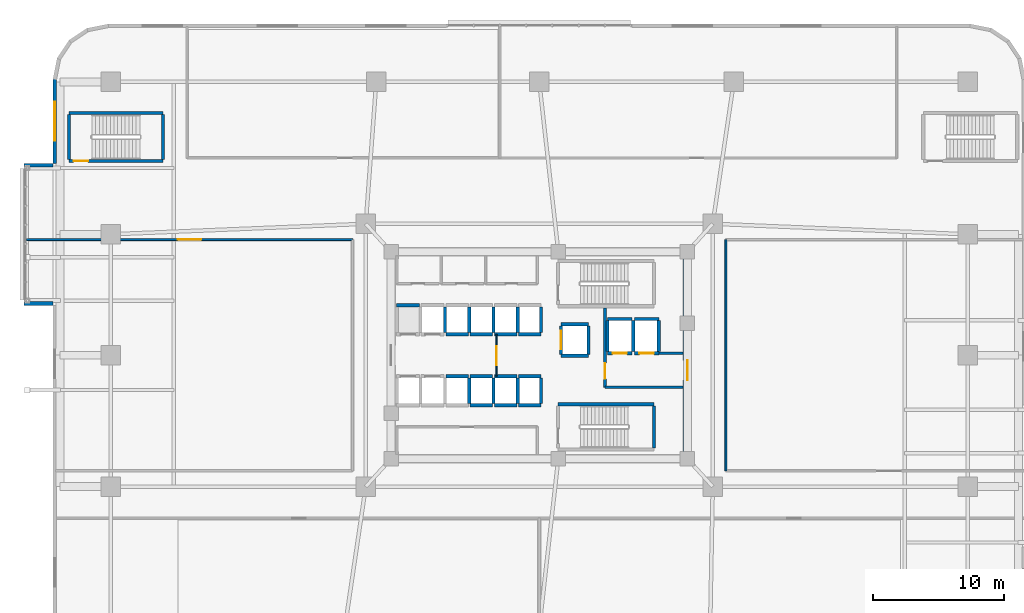
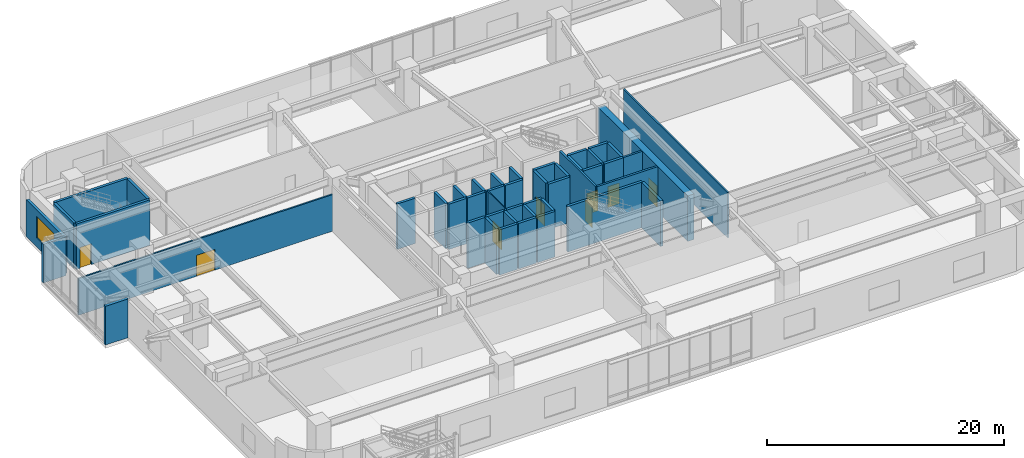
# One storey, part 16 of 23: 48 walls, 8 doors, 1 window, 9 openings.
"""IFC4 building model written with IfcOpenShell, lengths in metres."""

from ifc_helpers import new_model, si_unit, direction, frame, frame_2d, origin, place, context, subcontext, project, spatial, rectangle, extrude, material, layer, layer_set, type_object, element, fill, save


model = new_model("IFC4")

# Units and contexts
model_context = context("Model", 3, precision=1e-05, world=origin(), true_north=direction((0.0, 1.0)))
body_context = subcontext(model_context, "Body", "Model", "MODEL_VIEW")
ifc_project = project(units=[si_unit("LENGTHUNIT", "METRE"), si_unit("AREAUNIT", "SQUARE_METRE"), si_unit("VOLUMEUNIT", "CUBIC_METRE"), si_unit("PLANEANGLEUNIT", "RADIAN"), si_unit("MASSUNIT", "GRAM", prefix="KILO")], contexts=[model_context])

# Site, building, storey
site_placement = place(None, origin())
site = spatial("IfcSite", under=ifc_project, at=site_placement, CompositionType="ELEMENT")
building_placement = place(site_placement, origin())
building = spatial("IfcBuilding", under=site, at=building_placement, Name="Zulverin Broadcast Headquarters", CompositionType="ELEMENT")
storey_placement = place(building_placement, frame((0.0, 0.0, 10.0)))
storey = spatial("IfcBuildingStorey", under=building, at=storey_placement, Name="L02", CompositionType="ELEMENT", Elevation=10.0)

# Wall, opening, door
ifc_material_1 = material(Name="Concrete C60/75", Category="concrete")
ifc_layer_1 = layer(ifc_material_1, 0.64990234375, Name="Concrete C60/75", Category="concrete")
ifc_layer_set_1 = layer_set([ifc_layer_1], Name="Concrete C60/75")
wall_type_1 = type_object("IfcWallType", Name="WL-CORE-650", PredefinedType="SHEAR", material=ifc_layer_set_1)
wall_1_placement = place(storey_placement, frame((48.27490234375, 17.64990234375, 0.0), z_axis=(0.0, 0.0, 1.0), x_axis=(0.0, 1.0, 0.0)))
wall_1 = element("IfcWall", 1, at=wall_1_placement, inside=storey, type_object=wall_type_1, Name="L02 Core East Shear Wall", PredefinedType="SHEAR", context=body_context, shape_type="SweptSolid", body=[
    extrude(rectangle(XDim=15.10009765625, YDim=0.64990234375, at=frame_2d((7.550048828125, 0.0))), origin(), (0.0, 0.0, 1.0), 4.679931640625),
])
opening_1_placement = place(wall_1_placement, frame((5.64990234375, 0.0, 0.0)))
opening_1 = element("IfcOpeningElement", 2, at=opening_1_placement, cuts=wall_1, Name="Opening D-L02-CE1", PredefinedType="OPENING", context=body_context, shape_type="SweptSolid", body=[
    extrude(rectangle(XDim=1.5, YDim=2.14990234375, at=frame_2d((0.75, 1.074951171875))), frame((0.0, 0.3349609375, 0.0), z_axis=(0.0, -1.0, 0.0), x_axis=(1.0, 0.0, 0.0)), (0.0, 0.0, 1.0), 0.669921875),
])
ifc_material_2 = material(Name="Fire-rated glazed steel frame", Category="steel")
door_type_1 = type_object("IfcDoorType", Name="DR-COR-1500", OperationType="DOUBLE_DOOR_SINGLE_SWING", PredefinedType="DOOR", material=ifc_material_2)
door_1_placement = place(opening_1_placement, origin())
door_1 = element("IfcDoor", 3, at=door_1_placement, inside=storey, type_object=door_type_1, Name="L02 Firefighting Lobby East Corridor Door", OperationType="DOUBLE_DOOR_SINGLE_SWING", OverallHeight=2.14990234375, OverallWidth=1.5, PredefinedType="DOOR", context=body_context, shape_type="SweptSolid", body=[
    extrude(rectangle(XDim=1.5, YDim=2.14990234375, at=frame_2d((0.75, 1.074951171875))), frame((0.0, 0.02490234375, 0.0), z_axis=(0.0, -1.0, 0.0), x_axis=(1.0, 0.0, 0.0)), (0.0, 0.0, 1.0), 0.050048828125),
])
fill(opening_1, door_1)

# Wall, opening, window
ifc_material_3 = material(Name="Insulated pale-metal clad concrete spandrel C40/50", Category="concrete")
ifc_layer_2 = layer(ifc_material_3, 0.280029296875, Name="Insulated pale-metal clad concrete spandrel C40/50", Category="concrete")
ifc_layer_set_2 = layer_set([ifc_layer_2], Name="Insulated pale-metal clad concrete spandrel C40/50")
wall_type_2 = type_object("IfcWallType", Name="WL-EXT-280", PredefinedType="STANDARD", material=ifc_layer_set_2)
wall_2_placement = place(storey_placement, frame((0.139892578125, 46.199951171875, 0.0), z_axis=(0.0, 0.0, 1.0), x_axis=(0.0, -1.0, 0.0)))
wall_2 = element("IfcWall", 4, at=wall_2_placement, inside=storey, type_object=wall_type_2, Name="L02 Podium Spandrel Wall 3-1", PredefinedType="STANDARD", context=body_context, shape_type="SweptSolid", body=[
    extrude(rectangle(XDim=6.39990234375, YDim=0.280029296875, at=frame_2d((3.199951171875, 0.0))), origin(), (0.0, 0.0, 1.0), 3.780029296875),
])
opening_2_placement = place(wall_2_placement, frame((1.699951171875, 0.0, 0.89990234375)))
opening_2 = element("IfcOpeningElement", 5, at=opening_2_placement, cuts=wall_2, Name="Opening W-L02-E3S11", PredefinedType="OPENING", context=body_context, shape_type="SweptSolid", body=[
    extrude(rectangle(XDim=3.0, YDim=2.199951171875, at=frame_2d((1.5, 1.10009765625))), frame((0.0, 0.14990234375, 0.0), z_axis=(0.0, -1.0, 0.0), x_axis=(1.0, 0.0, 0.0)), (0.0, 0.0, 1.0), 0.300048828125),
])
ifc_material_4 = material(Name="Pale anodized aluminium frame with solar-control low-E double glazing", Category="aluminium")
window_type = type_object("IfcWindowType", Name="WIN-POD-3000", PartitioningType="SINGLE_PANEL", PredefinedType="WINDOW", material=ifc_material_4)
window_placement = place(opening_2_placement, origin())
window = element("IfcWindow", 6, at=window_placement, inside=storey, type_object=window_type, Name="L02 Podium Ribbon Window 3-1 1", OverallHeight=2.199951171875, OverallWidth=3.0, PartitioningType="SINGLE_PANEL", PredefinedType="WINDOW", context=body_context, shape_type="SweptSolid", body=[
    extrude(rectangle(XDim=3.0, YDim=2.199951171875, at=frame_2d((1.5, 1.10009765625))), frame((0.0, 0.030029296875, 0.0), z_axis=(0.0, -1.0, 0.0), x_axis=(1.0, 0.0, 0.0)), (0.0, 0.0, 1.0), 0.06005859375),
])
fill(opening_2, window)

# Walls
for number, where, z_axis, x_axis, name in (
    (7, (-2.199951171875, 29.139892578125, 0.0), (0.0, 0.0, 1.0), (1.0, 0.0, 0.0), "L02 Shifted Studio Box Cheek Wall SBOX_POD_LOWER_W1-S"),
    (8, (-2.199951171875, 39.659912109375, 0.0), (0.0, 0.0, 1.0), (1.0, 0.0, 0.0), "L02 Shifted Studio Box Cheek Wall SBOX_POD_LOWER_W1-N"),
):
    element("IfcWall", number, at=place(storey_placement, frame(where, z_axis=z_axis, x_axis=x_axis)), inside=storey, type_object=wall_type_2, Name=name, PredefinedType="STANDARD", context=body_context, shape_type="SweptSolid", body=[
        extrude(rectangle(XDim=2.199951171875, YDim=0.280029296875, at=frame_2d((1.10009765625, 0.0))), origin(), (0.0, 0.0, 1.0), 3.987060546875),
    ])

# Wall, opening, door
ifc_material_5 = material(Name="Concrete C40/50", Category="concrete")
ifc_layer_3 = layer(ifc_material_5, 0.199951171875, Name="Concrete C40/50", Category="concrete")
ifc_layer_set_3 = layer_set([ifc_layer_3], Name="Concrete C40/50")
wall_type_3 = type_object("IfcWallType", Name="WL-FFL-200", PredefinedType="SOLIDWALL", material=ifc_layer_set_3)
wall_3_placement = place(storey_placement, frame((42.0, 22.75, 0.0), z_axis=(0.0, 0.0, 1.0), x_axis=(0.0, 1.0, 0.0)))
wall_3 = element("IfcWall", 9, at=wall_3_placement, inside=storey, type_object=wall_type_3, Name="L02 Firefighting Lift Lobby West Wall", PredefinedType="SOLIDWALL", context=body_context, shape_type="SweptSolid", body=[
    extrude(rectangle(XDim=6.050048828125, YDim=0.199951171875, at=frame_2d((3.02490234375, 0.0))), origin(), (0.0, 0.0, 1.0), 4.679931640625),
])
opening_3_placement = place(wall_3_placement, frame((0.64990234375, 0.0, 0.0)))
opening_3 = element("IfcOpeningElement", 10, at=opening_3_placement, cuts=wall_3, Name="Opening D-L02-FFLW", PredefinedType="OPENING", context=body_context, shape_type="SweptSolid", body=[
    extrude(rectangle(XDim=1.199951171875, YDim=2.14990234375, at=frame_2d((0.60009765625, 1.074951171875))), frame((0.0, 0.10986328125, 0.0), z_axis=(0.0, -1.0, 0.0), x_axis=(1.0, 0.0, 0.0)), (0.0, 0.0, 1.0), 0.219970703125),
])
ifc_material_6 = material(Name="Fire-rated steel leaf and frame", Category="steel")
door_type_2 = type_object("IfcDoorType", Name="DR-FFL-1200", OperationType="SINGLE_SWING_RIGHT", PredefinedType="DOOR", material=ifc_material_6)
door_2_placement = place(opening_3_placement, origin())
door_2 = element("IfcDoor", 11, at=door_2_placement, inside=storey, type_object=door_type_2, Name="L02 Firefighting Lift Lobby Door", OperationType="SINGLE_SWING_RIGHT", OverallHeight=2.14990234375, OverallWidth=1.199951171875, PredefinedType="DOOR", context=body_context, shape_type="SweptSolid", body=[
    extrude(rectangle(XDim=1.199951171875, YDim=2.14990234375, at=frame_2d((0.60009765625, 1.074951171875))), frame((0.0, 0.02490234375, 0.0), z_axis=(0.0, -1.0, 0.0), x_axis=(1.0, 0.0, 0.0)), (0.0, 0.0, 1.0), 0.050048828125),
])
fill(opening_3, door_2)

# Walls
wall_4_placement = place(storey_placement, frame((42.0, 22.75, 0.0), z_axis=(0.0, 0.0, 1.0), x_axis=(1.0, 0.0, 0.0)))
element("IfcWall", 12, at=wall_4_placement, inside=storey, type_object=wall_type_3, Name="L02 Firefighting Lift Lobby South Wall", PredefinedType="SOLIDWALL", context=body_context, shape_type="SweptSolid", body=[
    extrude(rectangle(XDim=5.949951171875, YDim=0.199951171875, at=frame_2d((2.97509765625, 0.0))), origin(), (0.0, 0.0, 1.0), 4.679931640625),
])
wall_5_placement = place(storey_placement, frame((46.10009765625, 25.35009765625, 0.0), z_axis=(0.0, 0.0, 1.0), x_axis=(1.0, 0.0, 0.0)))
element("IfcWall", 13, at=wall_5_placement, inside=storey, type_object=wall_type_3, Name="L02 Firefighting Lift Lobby North Wall", PredefinedType="SOLIDWALL", context=body_context, shape_type="SweptSolid", body=[
    extrude(rectangle(XDim=1.849853515625, YDim=0.199951171875, at=frame_2d((0.9248046875, 0.0))), origin(), (0.0, 0.0, 1.0), 4.679931640625),
])

# Wall, opening, door
ifc_material_7 = material(Name="Fire-rated acoustic laminated glass screen", Category="glass")
ifc_layer_4 = layer(ifc_material_7, 0.10009765625, Name="Fire-rated acoustic laminated glass screen", Category="glass")
ifc_layer_set_4 = layer_set([ifc_layer_4], Name="Fire-rated acoustic laminated glass screen")
wall_type_4 = type_object("IfcWallType", Name="WL-GLAZ-100", PredefinedType="PARTITIONING", material=ifc_layer_set_4)
wall_6_placement = place(storey_placement, frame((33.75, 23.60009765625, 0.0), z_axis=(0.0, 0.0, 1.0), x_axis=(0.0, 1.0, 0.0)))
wall_6 = element("IfcWall", 14, at=wall_6_placement, inside=storey, type_object=wall_type_4, Name="L02 Core Lobby Acoustic Screen", PredefinedType="PARTITIONING", context=body_context, shape_type="SweptSolid", body=[
    extrude(rectangle(XDim=3.199951171875, YDim=0.10009765625, at=frame_2d((1.60009765625, 0.0))), origin(), (0.0, 0.0, 1.0), 4.679931640625),
])
opening_4_placement = place(wall_6_placement, frame((0.85009765625, 0.0, 0.0)))
opening_4 = element("IfcOpeningElement", 15, at=opening_4_placement, cuts=wall_6, Name="Opening D-L02-CL1", PredefinedType="OPENING", context=body_context, shape_type="SweptSolid", body=[
    extrude(rectangle(XDim=1.449951171875, YDim=2.1201171875, at=frame_2d((0.72509765625, 1.06005859375))), frame((0.0, 0.06005859375, 0.0), z_axis=(0.0, -1.0, 0.0), x_axis=(1.0, 0.0, 0.0)), (0.0, 0.0, 1.0), 0.1201171875),
])
ifc_material_8 = material(Name="Fire-rated acoustic glazed double leaf", Category="glass")
door_type_3 = type_object("IfcDoorType", Name="DR-GLZ-1450", OperationType="DOUBLE_DOOR_SINGLE_SWING", PredefinedType="DOOR", material=ifc_material_8)
door_3_placement = place(opening_4_placement, origin())
door_3 = element("IfcDoor", 16, at=door_3_placement, inside=storey, type_object=door_type_3, Name="L02 Core Lobby Vestibule Door", OperationType="DOUBLE_DOOR_SINGLE_SWING", OverallHeight=2.1201171875, OverallWidth=1.449951171875, PredefinedType="DOOR", context=body_context, shape_type="SweptSolid", body=[
    extrude(rectangle(XDim=1.449951171875, YDim=2.1201171875, at=frame_2d((0.72509765625, 1.06005859375))), frame((0.0, 0.02490234375, 0.0), z_axis=(0.0, -1.0, 0.0), x_axis=(1.0, 0.0, 0.0)), (0.0, 0.0, 1.0), 0.050048828125),
])
fill(opening_4, door_3)

# Wall
ifc_material_9 = material(Name="Fire-rated gypsum stud partition", Category="gypsum")
ifc_layer_5 = layer(ifc_material_9, 0.14990234375, Name="Fire-rated gypsum stud partition", Category="gypsum")
ifc_layer_set_5 = layer_set([ifc_layer_5], Name="Fire-rated gypsum stud partition")
wall_type_5 = type_object("IfcWallType", Name="WL-PART-150", PredefinedType="PARTITIONING", material=ifc_layer_set_5)
wall_7_placement = place(storey_placement, frame((51.199951171875, 16.39990234375, 0.0), z_axis=(0.0, 0.0, 1.0), x_axis=(0.0, 1.0, 0.0)))
element("IfcWall", 17, at=wall_7_placement, inside=storey, type_object=wall_type_5, Name="L02 Gallery Partition Wall CG-02", PredefinedType="PARTITIONING", context=body_context, shape_type="SweptSolid", body=[
    extrude(rectangle(XDim=17.60009765625, YDim=0.14990234375, at=frame_2d((8.800048828125, 0.0))), origin(), (0.0, 0.0, 1.0), 4.679931640625),
])

# Wall, opening, door
wall_8_placement = place(storey_placement, frame((-1.9951171875, 34.0, 0.0), z_axis=(0.0, 0.0, 1.0), x_axis=(1.0, 0.0, 0.0)))
wall_8 = element("IfcWall", 18, at=wall_8_placement, inside=storey, type_object=wall_type_5, Name="L02 Gallery Partition Wall CG-10", PredefinedType="PARTITIONING", context=body_context, shape_type="SweptSolid", body=[
    extrude(rectangle(XDim=24.795166015625, YDim=0.14990234375, at=frame_2d((12.3974609375, 0.0))), origin(), (0.0, 0.0, 1.0), 3.780029296875),
])
opening_5_placement = place(wall_8_placement, frame((11.49755859375, 0.0, 0.0)))
opening_5 = element("IfcOpeningElement", 19, at=opening_5_placement, cuts=wall_8, Name="Opening D-L02-STDW", PredefinedType="OPENING", context=body_context, shape_type="SweptSolid", body=[
    extrude(rectangle(XDim=1.800048828125, YDim=2.14990234375, at=frame_2d((0.89990234375, 1.074951171875))), frame((0.0, 0.0849609375, 0.0), z_axis=(0.0, -1.0, 0.0), x_axis=(1.0, 0.0, 0.0)), (0.0, 0.0, 1.0), 0.169921875),
])
ifc_material_10 = material(Name="Acoustic steel studio door", Category="steel")
door_type_4 = type_object("IfcDoorType", Name="DR-STD-1800", OperationType="DOUBLE_DOOR_SINGLE_SWING", PredefinedType="DOOR", material=ifc_material_10)
door_4_placement = place(opening_5_placement, origin())
door_4 = element("IfcDoor", 20, at=door_4_placement, inside=storey, type_object=door_type_4, Name="L02 West Live Television Broadcast Studio Door", OperationType="DOUBLE_DOOR_SINGLE_SWING", OverallHeight=2.14990234375, OverallWidth=1.800048828125, PredefinedType="DOOR", context=body_context, shape_type="SweptSolid", body=[
    extrude(rectangle(XDim=1.800048828125, YDim=2.14990234375, at=frame_2d((0.89990234375, 1.074951171875))), frame((0.0, 0.02490234375, 0.0), z_axis=(0.0, -1.0, 0.0), x_axis=(1.0, 0.0, 0.0)), (0.0, 0.0, 1.0), 0.050048828125),
])
fill(opening_5, door_4)

# Walls
ifc_material_11 = material(Name="Concrete C50/60", Category="concrete")
ifc_layer_6 = layer(ifc_material_11, 0.25, Name="Concrete C50/60", Category="concrete")
ifc_layer_set_6 = layer_set([ifc_layer_6], Name="Concrete C50/60")
wall_type_6 = type_object("IfcWallType", Name="WL-SHAFT-250", PredefinedType="SHEAR", material=ifc_layer_set_6)
wall_9_placement = place(storey_placement, frame((38.425048828125, 21.47509765625, 0.0), z_axis=(0.0, 0.0, 1.0), x_axis=(1.0, 0.0, 0.0)))
element("IfcWall", 21, at=wall_9_placement, inside=storey, type_object=wall_type_6, Name="L02 ST-2 Enclosure Wall N", PredefinedType="SHEAR", context=body_context, shape_type="SweptSolid", body=[
    extrude(rectangle(XDim=7.300048828125, YDim=0.25, at=frame_2d((3.64990234375, 0.0))), origin(), (0.0, 0.0, 1.0), 4.679931640625),
])
wall_10_placement = place(storey_placement, frame((45.72509765625, 18.14990234375, 0.0), z_axis=(0.0, 0.0, 1.0), x_axis=(0.0, 1.0, 0.0)))
element("IfcWall", 22, at=wall_10_placement, inside=storey, type_object=wall_type_6, Name="L02 ST-2 Enclosure Wall E", PredefinedType="SHEAR", context=body_context, shape_type="SweptSolid", body=[
    extrude(rectangle(XDim=3.2001953125, YDim=0.25, at=frame_2d((1.60009765625, 0.0))), origin(), (0.0, 0.0, 1.0), 4.679931640625),
])

# Wall, opening, door
wall_11_placement = place(storey_placement, frame((1.22509765625, 39.97509765625, 0.0), z_axis=(0.0, 0.0, 1.0), x_axis=(1.0, 0.0, 0.0)))
wall_11 = element("IfcWall", 23, at=wall_11_placement, inside=storey, type_object=wall_type_6, Name="L02 ST-3 Enclosure Wall S", PredefinedType="SHEAR", context=body_context, shape_type="SweptSolid", body=[
    extrude(rectangle(XDim=7.14990234375, YDim=0.25, at=frame_2d((3.574951171875, 0.0))), origin(), (0.0, 0.0, 1.0), 4.679931640625),
])
opening_6_placement = place(wall_11_placement, frame((0.35009765625, 0.0, 0.0)))
opening_6 = element("IfcOpeningElement", 24, at=opening_6_placement, cuts=wall_11, Name="Opening D-L02-ST-3", PredefinedType="OPENING", context=body_context, shape_type="SweptSolid", body=[
    extrude(rectangle(XDim=1.10009765625, YDim=2.14990234375, at=frame_2d((0.550048828125, 1.074951171875))), frame((0.0, 0.135009765625, 0.0), z_axis=(0.0, -1.0, 0.0), x_axis=(1.0, 0.0, 0.0)), (0.0, 0.0, 1.0), 0.27001953125),
])
door_type_5 = type_object("IfcDoorType", Name="DR-STAIR-1100", OperationType="SINGLE_SWING_LEFT", PredefinedType="DOOR", material=ifc_material_6)
door_5_placement = place(opening_6_placement, origin())
door_5 = element("IfcDoor", 25, at=door_5_placement, inside=storey, type_object=door_type_5, Name="L02 Exit Stair ST-3 Fire Door", OperationType="SINGLE_SWING_LEFT", OverallHeight=2.14990234375, OverallWidth=1.10009765625, PredefinedType="DOOR", context=body_context, shape_type="SweptSolid", body=[
    extrude(rectangle(XDim=1.10009765625, YDim=2.14990234375, at=frame_2d((0.550048828125, 1.074951171875))), frame((0.0, 0.02490234375, 0.0), z_axis=(0.0, -1.0, 0.0), x_axis=(1.0, 0.0, 0.0)), (0.0, 0.0, 1.0), 0.050048828125),
])
fill(opening_6, door_5)

# Walls
wall_12_placement = place(storey_placement, frame((1.22509765625, 43.625, 0.0), z_axis=(0.0, 0.0, 1.0), x_axis=(1.0, 0.0, 0.0)))
element("IfcWall", 26, at=wall_12_placement, inside=storey, type_object=wall_type_6, Name="L02 ST-3 Enclosure Wall N", PredefinedType="SHEAR", context=body_context, shape_type="SweptSolid", body=[
    extrude(rectangle(XDim=7.14990234375, YDim=0.25, at=frame_2d((3.574951171875, 0.0))), origin(), (0.0, 0.0, 1.0), 4.679931640625),
])
for number, where, z_axis, x_axis, name in (
    (27, (1.22509765625, 40.10009765625, 0.0), (0.0, 0.0, 1.0), (0.0, 1.0, 0.0), "L02 ST-3 Enclosure Wall W"),
    (28, (8.375, 40.10009765625, 0.0), (0.0, 0.0, 1.0), (0.0, 1.0, 0.0), "L02 ST-3 Enclosure Wall E"),
):
    element("IfcWall", number, at=place(storey_placement, frame(where, z_axis=z_axis, x_axis=x_axis)), inside=storey, type_object=wall_type_6, Name=name, PredefinedType="SHEAR", context=body_context, shape_type="SweptSolid", body=[
        extrude(rectangle(XDim=3.39990234375, YDim=0.25, at=frame_2d((1.699951171875, 0.0))), origin(), (0.0, 0.0, 1.0), 4.679931640625),
    ])
wall_13_placement = place(storey_placement, frame((26.14990234375, 29.0, 0.0), z_axis=(0.0, 0.0, 1.0), x_axis=(1.0, 0.0, 0.0)))
element("IfcWall", 29, at=wall_13_placement, inside=storey, type_object=wall_type_6, Name="L02 Lift PL-L1 Shaft Wall N", PredefinedType="SHEAR", context=body_context, shape_type="SweptSolid", body=[
    extrude(rectangle(XDim=1.75, YDim=0.25, at=frame_2d((0.875, 0.0))), origin(), (0.0, 0.0, 1.0), 4.679931640625),
])
wall_14_placement = place(storey_placement, frame((29.8349609375, 26.919921875, 0.0), z_axis=(0.0, 0.0, 1.0), x_axis=(0.0, 1.0, 0.0)))
element("IfcWall", 30, at=wall_14_placement, inside=storey, type_object=wall_type_6, Name="L02 Lift PL-L2 Shaft Wall E", PredefinedType="SHEAR", context=body_context, shape_type="SweptSolid", body=[
    extrude(rectangle(XDim=1.9599609375, YDim=0.25, at=frame_2d((0.97998046875, 0.0))), origin(), (0.0, 0.0, 1.0), 4.679931640625),
])
wall_15_placement = place(storey_placement, frame((29.89990234375, 23.60009765625, 0.0), z_axis=(0.0, 0.0, 1.0), x_axis=(1.0, 0.0, 0.0)))
element("IfcWall", 31, at=wall_15_placement, inside=storey, type_object=wall_type_6, Name="L02 Lift PL-M1 Shaft Wall N", PredefinedType="SHEAR", context=body_context, shape_type="SweptSolid", body=[
    extrude(rectangle(XDim=1.72021484375, YDim=0.25, at=frame_2d((0.860107421875, 0.0))), origin(), (0.0, 0.0, 1.0), 4.679931640625),
])
wall_16_placement = place(storey_placement, frame((31.679931640625, 21.52001953125, 0.0), z_axis=(0.0, 0.0, 1.0), x_axis=(0.0, 1.0, 0.0)))
element("IfcWall", 32, at=wall_16_placement, inside=storey, type_object=wall_type_6, Name="L02 Lift PL-M1 Shaft Wall E", PredefinedType="SHEAR", context=body_context, shape_type="SweptSolid", body=[
    extrude(rectangle(XDim=1.9599609375, YDim=0.25, at=frame_2d((0.97998046875, 0.0))), origin(), (0.0, 0.0, 1.0), 4.679931640625),
])
for number, where, z_axis, x_axis, name in (
    (33, (31.739990234375, 21.39990234375, 0.0), (0.0, 0.0, 1.0), (1.0, 0.0, 0.0), "L02 Lift PL-M2 Shaft Wall S"),
    (34, (31.739990234375, 23.60009765625, 0.0), (0.0, 0.0, 1.0), (1.0, 0.0, 0.0), "L02 Lift PL-M2 Shaft Wall N"),
):
    element("IfcWall", number, at=place(storey_placement, frame(where, z_axis=z_axis, x_axis=x_axis)), inside=storey, type_object=wall_type_6, Name=name, PredefinedType="SHEAR", context=body_context, shape_type="SweptSolid", body=[
        extrude(rectangle(XDim=1.719970703125, YDim=0.25, at=frame_2d((0.85986328125, 0.0))), origin(), (0.0, 0.0, 1.0), 4.679931640625),
    ])
wall_17_placement = place(storey_placement, frame((33.52001953125, 21.52001953125, 0.0), z_axis=(0.0, 0.0, 1.0), x_axis=(0.0, 1.0, 0.0)))
element("IfcWall", 35, at=wall_17_placement, inside=storey, type_object=wall_type_6, Name="L02 Lift PL-M2 Shaft Wall E", PredefinedType="SHEAR", context=body_context, shape_type="SweptSolid", body=[
    extrude(rectangle(XDim=1.9599609375, YDim=0.25, at=frame_2d((0.97998046875, 0.0))), origin(), (0.0, 0.0, 1.0), 4.679931640625),
])
for number, where, z_axis, x_axis, name in (
    (36, (33.580078125, 21.39990234375, 0.0), (0.0, 0.0, 1.0), (1.0, 0.0, 0.0), "L02 Lift PL-M3 Shaft Wall S"),
    (37, (33.580078125, 23.60009765625, 0.0), (0.0, 0.0, 1.0), (1.0, 0.0, 0.0), "L02 Lift PL-M3 Shaft Wall N"),
):
    element("IfcWall", number, at=place(storey_placement, frame(where, z_axis=z_axis, x_axis=x_axis)), inside=storey, type_object=wall_type_6, Name=name, PredefinedType="SHEAR", context=body_context, shape_type="SweptSolid", body=[
        extrude(rectangle(XDim=1.719970703125, YDim=0.25, at=frame_2d((0.85986328125, 0.0))), origin(), (0.0, 0.0, 1.0), 4.679931640625),
    ])
wall_18_placement = place(storey_placement, frame((35.360107421875, 21.52001953125, 0.0), z_axis=(0.0, 0.0, 1.0), x_axis=(0.0, 1.0, 0.0)))
element("IfcWall", 38, at=wall_18_placement, inside=storey, type_object=wall_type_6, Name="L02 Lift PL-M3 Shaft Wall E", PredefinedType="SHEAR", context=body_context, shape_type="SweptSolid", body=[
    extrude(rectangle(XDim=1.9599609375, YDim=0.25, at=frame_2d((0.97998046875, 0.0))), origin(), (0.0, 0.0, 1.0), 4.679931640625),
])
for number, where, z_axis, x_axis, name in (
    (39, (35.419921875, 21.39990234375, 0.0), (0.0, 0.0, 1.0), (1.0, 0.0, 0.0), "L02 Lift PL-M4 Shaft Wall S"),
    (40, (35.419921875, 23.60009765625, 0.0), (0.0, 0.0, 1.0), (1.0, 0.0, 0.0), "L02 Lift PL-M4 Shaft Wall N"),
):
    element("IfcWall", number, at=place(storey_placement, frame(where, z_axis=z_axis, x_axis=x_axis)), inside=storey, type_object=wall_type_6, Name=name, PredefinedType="SHEAR", context=body_context, shape_type="SweptSolid", body=[
        extrude(rectangle(XDim=1.719970703125, YDim=0.25, at=frame_2d((0.85986328125, 0.0))), origin(), (0.0, 0.0, 1.0), 4.679931640625),
    ])
wall_19_placement = place(storey_placement, frame((37.139892578125, 21.52001953125, 0.0), z_axis=(0.0, 0.0, 1.0), x_axis=(0.0, 1.0, 0.0)))
element("IfcWall", 41, at=wall_19_placement, inside=storey, type_object=wall_type_6, Name="L02 Lift PL-M4 Shaft Wall E", PredefinedType="SHEAR", context=body_context, shape_type="SweptSolid", body=[
    extrude(rectangle(XDim=1.9599609375, YDim=0.25, at=frame_2d((0.97998046875, 0.0))), origin(), (0.0, 0.0, 1.0), 4.679931640625),
])
wall_20_placement = place(storey_placement, frame((29.89990234375, 26.800048828125, 0.0), z_axis=(0.0, 0.0, 1.0), x_axis=(1.0, 0.0, 0.0)))
element("IfcWall", 42, at=wall_20_placement, inside=storey, type_object=wall_type_6, Name="L02 Lift PL-H1 Shaft Wall S", PredefinedType="SHEAR", context=body_context, shape_type="SweptSolid", body=[
    extrude(rectangle(XDim=1.72021484375, YDim=0.25, at=frame_2d((0.860107421875, 0.0))), origin(), (0.0, 0.0, 1.0), 4.679931640625),
])
wall_21_placement = place(storey_placement, frame((31.679931640625, 26.919921875, 0.0), z_axis=(0.0, 0.0, 1.0), x_axis=(0.0, 1.0, 0.0)))
element("IfcWall", 43, at=wall_21_placement, inside=storey, type_object=wall_type_6, Name="L02 Lift PL-H1 Shaft Wall E", PredefinedType="SHEAR", context=body_context, shape_type="SweptSolid", body=[
    extrude(rectangle(XDim=1.9599609375, YDim=0.25, at=frame_2d((0.97998046875, 0.0))), origin(), (0.0, 0.0, 1.0), 4.679931640625),
])
wall_22_placement = place(storey_placement, frame((31.739990234375, 26.800048828125, 0.0), z_axis=(0.0, 0.0, 1.0), x_axis=(1.0, 0.0, 0.0)))
element("IfcWall", 44, at=wall_22_placement, inside=storey, type_object=wall_type_6, Name="L02 Lift PL-H2 Shaft Wall S", PredefinedType="SHEAR", context=body_context, shape_type="SweptSolid", body=[
    extrude(rectangle(XDim=1.719970703125, YDim=0.25, at=frame_2d((0.85986328125, 0.0))), origin(), (0.0, 0.0, 1.0), 4.679931640625),
])
wall_23_placement = place(storey_placement, frame((33.52001953125, 26.919921875, 0.0), z_axis=(0.0, 0.0, 1.0), x_axis=(0.0, 1.0, 0.0)))
element("IfcWall", 45, at=wall_23_placement, inside=storey, type_object=wall_type_6, Name="L02 Lift PL-H2 Shaft Wall E", PredefinedType="SHEAR", context=body_context, shape_type="SweptSolid", body=[
    extrude(rectangle(XDim=1.9599609375, YDim=0.25, at=frame_2d((0.97998046875, 0.0))), origin(), (0.0, 0.0, 1.0), 4.679931640625),
])
wall_24_placement = place(storey_placement, frame((33.580078125, 26.800048828125, 0.0), z_axis=(0.0, 0.0, 1.0), x_axis=(1.0, 0.0, 0.0)))
element("IfcWall", 46, at=wall_24_placement, inside=storey, type_object=wall_type_6, Name="L02 Lift PL-H3 Shaft Wall S", PredefinedType="SHEAR", context=body_context, shape_type="SweptSolid", body=[
    extrude(rectangle(XDim=1.719970703125, YDim=0.25, at=frame_2d((0.85986328125, 0.0))), origin(), (0.0, 0.0, 1.0), 4.679931640625),
])
wall_25_placement = place(storey_placement, frame((35.360107421875, 26.919921875, 0.0), z_axis=(0.0, 0.0, 1.0), x_axis=(0.0, 1.0, 0.0)))
element("IfcWall", 47, at=wall_25_placement, inside=storey, type_object=wall_type_6, Name="L02 Lift PL-H3 Shaft Wall E", PredefinedType="SHEAR", context=body_context, shape_type="SweptSolid", body=[
    extrude(rectangle(XDim=1.9599609375, YDim=0.25, at=frame_2d((0.97998046875, 0.0))), origin(), (0.0, 0.0, 1.0), 4.679931640625),
])
wall_26_placement = place(storey_placement, frame((35.419921875, 26.800048828125, 0.0), z_axis=(0.0, 0.0, 1.0), x_axis=(1.0, 0.0, 0.0)))
element("IfcWall", 48, at=wall_26_placement, inside=storey, type_object=wall_type_6, Name="L02 Lift PL-H4 Shaft Wall S", PredefinedType="SHEAR", context=body_context, shape_type="SweptSolid", body=[
    extrude(rectangle(XDim=1.719970703125, YDim=0.25, at=frame_2d((0.85986328125, 0.0))), origin(), (0.0, 0.0, 1.0), 4.679931640625),
])
wall_27_placement = place(storey_placement, frame((37.139892578125, 26.919921875, 0.0), z_axis=(0.0, 0.0, 1.0), x_axis=(0.0, 1.0, 0.0)))
element("IfcWall", 49, at=wall_27_placement, inside=storey, type_object=wall_type_6, Name="L02 Lift PL-H4 Shaft Wall E", PredefinedType="SHEAR", context=body_context, shape_type="SweptSolid", body=[
    extrude(rectangle(XDim=1.9599609375, YDim=0.25, at=frame_2d((0.97998046875, 0.0))), origin(), (0.0, 0.0, 1.0), 4.679931640625),
])

# Wall, opening, door
wall_28_placement = place(storey_placement, frame((42.199951171875, 25.35009765625, 0.0), z_axis=(0.0, 0.0, 1.0), x_axis=(1.0, 0.0, 0.0)))
wall_28 = element("IfcWall", 50, at=wall_28_placement, inside=storey, type_object=wall_type_6, Name="L02 Lift FFL-1 Shaft Wall S", PredefinedType="SHEAR", context=body_context, shape_type="SweptSolid", body=[
    extrude(rectangle(XDim=1.85009765625, YDim=0.25, at=frame_2d((0.925048828125, 0.0))), origin(), (0.0, 0.0, 1.0), 4.679931640625),
])
opening_7_placement = place(wall_28_placement, frame((0.375, 0.0, 0.0)))
opening_7 = element("IfcOpeningElement", 51, at=opening_7_placement, cuts=wall_28, Name="Opening LD-FFL-1-L02", PredefinedType="OPENING", context=body_context, shape_type="SweptSolid", body=[
    extrude(rectangle(XDim=1.10009765625, YDim=2.14990234375, at=frame_2d((0.550048828125, 1.074951171875))), frame((0.0, 0.135009765625, 0.0), z_axis=(0.0, -1.0, 0.0), x_axis=(1.0, 0.0, 0.0)), (0.0, 0.0, 1.0), 0.27001953125),
])
ifc_material_12 = material(Name="Fire-rated stainless landing door", Category="steel")
door_type_6 = type_object("IfcDoorType", Name="LD-FFL-1100", OperationType="DOUBLE_DOOR_SLIDING", PredefinedType="DOOR", material=ifc_material_12)
door_6_placement = place(opening_7_placement, origin())
door_6 = element("IfcDoor", 52, at=door_6_placement, inside=storey, type_object=door_type_6, Name="L02 Lift FFL-1 Sliding Landing Door", OperationType="DOUBLE_DOOR_SLIDING", OverallHeight=2.14990234375, OverallWidth=1.10009765625, PredefinedType="DOOR", context=body_context, shape_type="SweptSolid", body=[
    extrude(rectangle(XDim=1.10009765625, YDim=2.14990234375, at=frame_2d((0.550048828125, 1.074951171875))), frame((0.0, 0.02490234375, 0.0), z_axis=(0.0, -1.0, 0.0), x_axis=(1.0, 0.0, 0.0)), (0.0, 0.0, 1.0), 0.050048828125),
])
fill(opening_7, door_6)

# Walls
wall_29_placement = place(storey_placement, frame((42.199951171875, 27.949951171875, 0.0), z_axis=(0.0, 0.0, 1.0), x_axis=(1.0, 0.0, 0.0)))
element("IfcWall", 53, at=wall_29_placement, inside=storey, type_object=wall_type_6, Name="L02 Lift FFL-1 Shaft Wall N", PredefinedType="SHEAR", context=body_context, shape_type="SweptSolid", body=[
    extrude(rectangle(XDim=1.85009765625, YDim=0.25, at=frame_2d((0.925048828125, 0.0))), origin(), (0.0, 0.0, 1.0), 4.679931640625),
])
for number, where, z_axis, x_axis, name in (
    (54, (42.199951171875, 25.469970703125, 0.0), (0.0, 0.0, 1.0), (0.0, 1.0, 0.0), "L02 Lift FFL-1 Shaft Wall W"),
    (55, (44.14990234375, 25.469970703125, 0.0), (0.0, 0.0, 1.0), (0.0, 1.0, 0.0), "L02 Lift FFL-1 Shaft Wall E"),
):
    element("IfcWall", number, at=place(storey_placement, frame(where, z_axis=z_axis, x_axis=x_axis)), inside=storey, type_object=wall_type_6, Name=name, PredefinedType="SHEAR", context=body_context, shape_type="SweptSolid", body=[
        extrude(rectangle(XDim=2.360107421875, YDim=0.25, at=frame_2d((1.18017578125, 0.0))), origin(), (0.0, 0.0, 1.0), 4.679931640625),
    ])

# Wall, opening, door
wall_30_placement = place(storey_placement, frame((44.25, 25.35009765625, 0.0), z_axis=(0.0, 0.0, 1.0), x_axis=(1.0, 0.0, 0.0)))
wall_30 = element("IfcWall", 56, at=wall_30_placement, inside=storey, type_object=wall_type_6, Name="L02 Lift FFL-2 Shaft Wall S", PredefinedType="SHEAR", context=body_context, shape_type="SweptSolid", body=[
    extrude(rectangle(XDim=1.85009765625, YDim=0.25, at=frame_2d((0.925048828125, 0.0))), origin(), (0.0, 0.0, 1.0), 4.679931640625),
])
opening_8_placement = place(wall_30_placement, frame((0.375, 0.0, 0.0)))
opening_8 = element("IfcOpeningElement", 57, at=opening_8_placement, cuts=wall_30, Name="Opening LD-FFL-2-L02", PredefinedType="OPENING", context=body_context, shape_type="SweptSolid", body=[
    extrude(rectangle(XDim=1.10009765625, YDim=2.14990234375, at=frame_2d((0.550048828125, 1.074951171875))), frame((0.0, 0.135009765625, 0.0), z_axis=(0.0, -1.0, 0.0), x_axis=(1.0, 0.0, 0.0)), (0.0, 0.0, 1.0), 0.27001953125),
])
door_7_placement = place(opening_8_placement, origin())
door_7 = element("IfcDoor", 58, at=door_7_placement, inside=storey, type_object=door_type_6, Name="L02 Lift FFL-2 Sliding Landing Door", OperationType="DOUBLE_DOOR_SLIDING", OverallHeight=2.14990234375, OverallWidth=1.10009765625, PredefinedType="DOOR", context=body_context, shape_type="SweptSolid", body=[
    extrude(rectangle(XDim=1.10009765625, YDim=2.14990234375, at=frame_2d((0.550048828125, 1.074951171875))), frame((0.0, 0.02490234375, 0.0), z_axis=(0.0, -1.0, 0.0), x_axis=(1.0, 0.0, 0.0)), (0.0, 0.0, 1.0), 0.050048828125),
])
fill(opening_8, door_7)

# Walls
wall_31_placement = place(storey_placement, frame((44.25, 27.949951171875, 0.0), z_axis=(0.0, 0.0, 1.0), x_axis=(1.0, 0.0, 0.0)))
element("IfcWall", 59, at=wall_31_placement, inside=storey, type_object=wall_type_6, Name="L02 Lift FFL-2 Shaft Wall N", PredefinedType="SHEAR", context=body_context, shape_type="SweptSolid", body=[
    extrude(rectangle(XDim=1.85009765625, YDim=0.25, at=frame_2d((0.925048828125, 0.0))), origin(), (0.0, 0.0, 1.0), 4.679931640625),
])
wall_32_placement = place(storey_placement, frame((46.10009765625, 25.469970703125, 0.0), z_axis=(0.0, 0.0, 1.0), x_axis=(0.0, 1.0, 0.0)))
element("IfcWall", 60, at=wall_32_placement, inside=storey, type_object=wall_type_6, Name="L02 Lift FFL-2 Shaft Wall E", PredefinedType="SHEAR", context=body_context, shape_type="SweptSolid", body=[
    extrude(rectangle(XDim=2.360107421875, YDim=0.25, at=frame_2d((1.18017578125, 0.0))), origin(), (0.0, 0.0, 1.0), 4.679931640625),
])
for number, where, z_axis, x_axis, name in (
    (61, (38.64990234375, 25.14990234375, 0.0), (0.0, 0.0, 1.0), (1.0, 0.0, 0.0), "L02 Lift SVL-1 Shaft Wall S"),
    (62, (38.64990234375, 27.550048828125, 0.0), (0.0, 0.0, 1.0), (1.0, 0.0, 0.0), "L02 Lift SVL-1 Shaft Wall N"),
):
    element("IfcWall", number, at=place(storey_placement, frame(where, z_axis=z_axis, x_axis=x_axis)), inside=storey, type_object=wall_type_6, Name=name, PredefinedType="SHEAR", context=body_context, shape_type="SweptSolid", body=[
        extrude(rectangle(XDim=2.10009765625, YDim=0.25, at=frame_2d((1.050048828125, 0.0))), origin(), (0.0, 0.0, 1.0), 4.679931640625),
    ])

# Wall, opening, door
wall_33_placement = place(storey_placement, frame((38.64990234375, 25.27001953125, 0.0), z_axis=(0.0, 0.0, 1.0), x_axis=(0.0, 1.0, 0.0)))
wall_33 = element("IfcWall", 63, at=wall_33_placement, inside=storey, type_object=wall_type_6, Name="L02 Lift SVL-1 Shaft Wall W", PredefinedType="SHEAR", context=body_context, shape_type="SweptSolid", body=[
    extrude(rectangle(XDim=2.159912109375, YDim=0.25, at=frame_2d((1.080078125, 0.0))), origin(), (0.0, 0.0, 1.0), 4.679931640625),
])
opening_9_placement = place(wall_33_placement, frame((0.3798828125, 0.0, 0.0)))
opening_9 = element("IfcOpeningElement", 64, at=opening_9_placement, cuts=wall_33, Name="Opening LD-SVL-1-L02", PredefinedType="OPENING", context=body_context, shape_type="SweptSolid", body=[
    extrude(rectangle(XDim=1.39990234375, YDim=2.199951171875, at=frame_2d((0.699951171875, 1.10009765625))), frame((0.0, 0.135009765625, 0.0), z_axis=(0.0, -1.0, 0.0), x_axis=(1.0, 0.0, 0.0)), (0.0, 0.0, 1.0), 0.27001953125),
])
ifc_material_13 = material(Name="Heavy-duty stainless landing door", Category="steel")
door_type_7 = type_object("IfcDoorType", Name="LD-GOODS-1400", OperationType="DOUBLE_DOOR_SLIDING", PredefinedType="DOOR", material=ifc_material_13)
door_8_placement = place(opening_9_placement, origin())
door_8 = element("IfcDoor", 65, at=door_8_placement, inside=storey, type_object=door_type_7, Name="L02 Lift SVL-1 Sliding Landing Door", OperationType="DOUBLE_DOOR_SLIDING", OverallHeight=2.199951171875, OverallWidth=1.39990234375, PredefinedType="DOOR", context=body_context, shape_type="SweptSolid", body=[
    extrude(rectangle(XDim=1.39990234375, YDim=2.199951171875, at=frame_2d((0.699951171875, 1.10009765625))), frame((0.0, 0.02490234375, 0.0), z_axis=(0.0, -1.0, 0.0), x_axis=(1.0, 0.0, 0.0)), (0.0, 0.0, 1.0), 0.050048828125),
])
fill(opening_9, door_8)

# Wall
wall_34_placement = place(storey_placement, frame((40.75, 25.27001953125, 0.0), z_axis=(0.0, 0.0, 1.0), x_axis=(0.0, 1.0, 0.0)))
element("IfcWall", 66, at=wall_34_placement, inside=storey, type_object=wall_type_6, Name="L02 Lift SVL-1 Shaft Wall E", PredefinedType="SHEAR", context=body_context, shape_type="SweptSolid", body=[
    extrude(rectangle(XDim=2.159912109375, YDim=0.25, at=frame_2d((1.080078125, 0.0))), origin(), (0.0, 0.0, 1.0), 4.679931640625),
])

save(model, "model.ifc")
